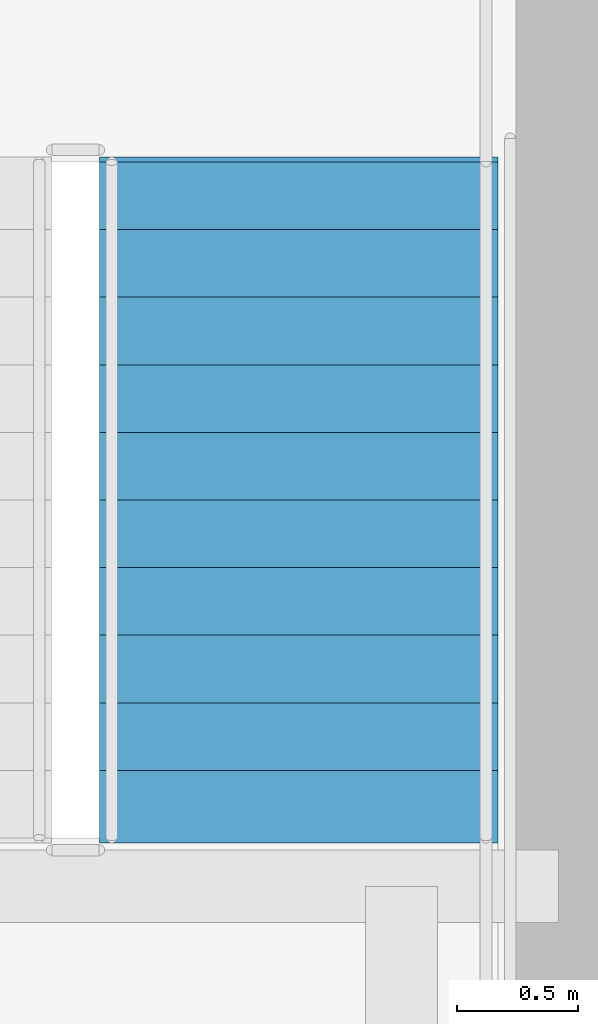
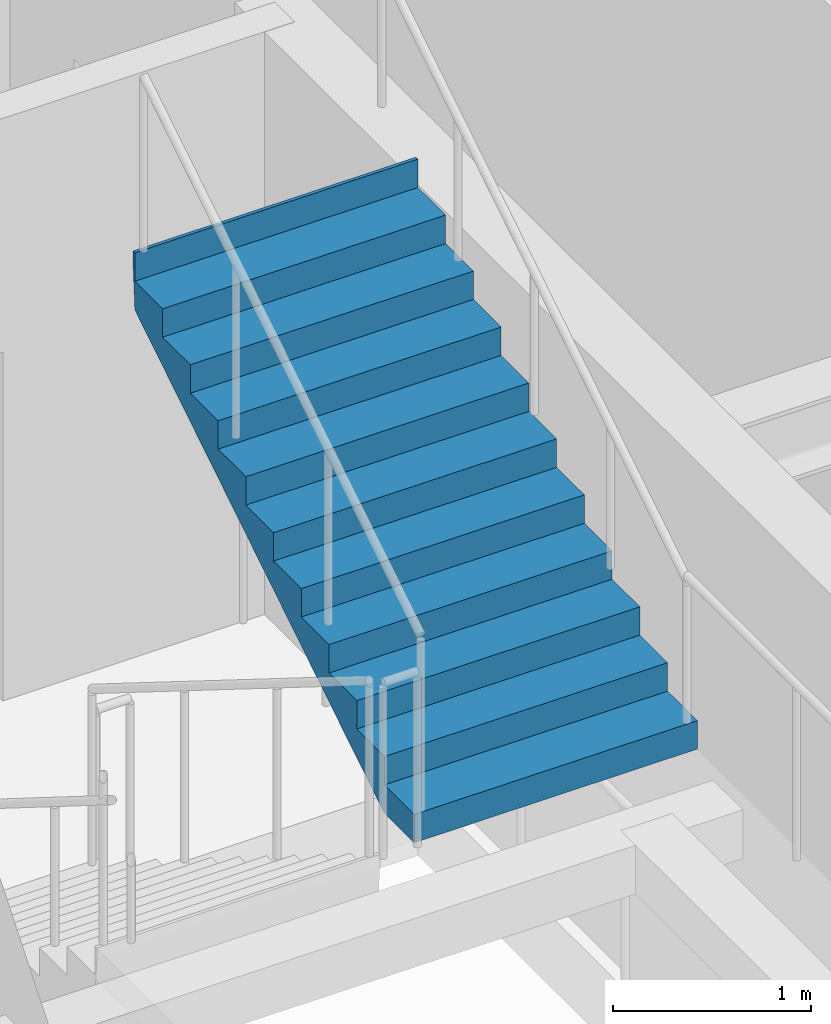
# One storey, part 30 of 35: 1 stair flight, 1 element without a shape of its own.
"""IFC4 building model written with IfcOpenShell, lengths in metres."""

from ifc_helpers import new_model, si_unit, direction, frame, origin, place, context, subcontext, project, spatial, polygons, material, type_object, element, aggregate, save


model = new_model("IFC4")

# Units and contexts
model_context = context("Model", 3, precision=1e-05, world=origin(), true_north=direction((0.0, 1.0)))
body_context = subcontext(model_context, "Body", "Model", "MODEL_VIEW")
ifc_project = project(units=[si_unit("LENGTHUNIT", "METRE"), si_unit("AREAUNIT", "SQUARE_METRE"), si_unit("VOLUMEUNIT", "CUBIC_METRE"), si_unit("PLANEANGLEUNIT", "RADIAN"), si_unit("MASSUNIT", "GRAM", prefix="KILO")], contexts=[model_context])

# Site, building, storey
site_placement = place(None, origin())
site = spatial("IfcSite", under=ifc_project, at=site_placement, CompositionType="ELEMENT")
building_placement = place(site_placement, origin())
building = spatial("IfcBuilding", under=site, at=building_placement, Name="Serunith Strait Residences", CompositionType="ELEMENT")
storey_placement = place(building_placement, frame((0.0, 0.0, 210.449951171875)))
storey = spatial("IfcBuildingStorey", under=building, at=storey_placement, Name="L52", CompositionType="ELEMENT", Elevation=210.449951171875)

# Stair, stair flight
ifc_material = material(Name="Concrete C50/60", Category="concrete")
stair_type = type_object("IfcStairType", Name="STR-CORE-2", PredefinedType="HALF_TURN_STAIR", material=ifc_material)
stair_placement = place(storey_placement, origin())
stair = element("IfcStair", 1, at=stair_placement, inside=storey, type_object=stair_type, Name="L52 Protected Escape Stair ST-2", PredefinedType="HALF_TURN_STAIR")
stair_flight_type = type_object("IfcStairFlightType", Name="FLT-CORE-2", PredefinedType="STRAIGHT", material=ifc_material)
stair_flight_placement = place(storey_placement, frame((40.324951171875, 20.570068359375, 1.925048828125), z_axis=(0.0, 0.0, 1.0), x_axis=(0.0, 1.0, 0.0)))
stair_flight = element("IfcStairFlight", 2, at=stair_flight_placement, type_object=stair_flight_type, Name="ST-2 flight 2", NumberOfRisers=11, NumberOfTreads=10, PredefinedType="STRAIGHT", RiserHeight=0.175, TreadLength=0.28, context=body_context, shape_type="Tessellation", body=[
    polygons([(-0.02001953125, -0.824951171875, 0.0), (-0.02001953125, -0.824951171875, 0.175048828125), (0.280029296875, -0.824951171875, 0.175048828125), (0.280029296875, -0.824951171875, 0.35009765625), (0.56005859375, -0.824951171875, 0.35009765625), (0.56005859375, -0.824951171875, 0.52490234375), (0.840087890625, -0.824951171875, 0.52490234375), (0.840087890625, -0.824951171875, 0.699951171875), (1.1201171875, -0.824951171875, 0.699951171875), (1.1201171875, -0.824951171875, 0.875), (1.39990234375, -0.824951171875, 0.875), (1.39990234375, -0.824951171875, 1.050048828125), (1.679931640625, -0.824951171875, 1.050048828125), (1.679931640625, -0.824951171875, 1.22509765625), (1.9599609375, -0.824951171875, 1.22509765625), (1.9599609375, -0.824951171875, 1.39990234375), (2.239990234375, -0.824951171875, 1.39990234375), (2.239990234375, -0.824951171875, 1.574951171875), (2.52001953125, -0.824951171875, 1.574951171875), (2.52001953125, -0.824951171875, 1.75), (2.800048828125, -0.824951171875, 1.75), (2.800048828125, -0.824951171875, 1.925048828125), (2.820068359375, -0.824951171875, 1.925048828125), (2.820068359375, -0.824951171875, 1.864990234375), (2.800048828125, -0.824951171875, 1.5732421875), (0.28271484375, -0.824951171875, 0.0), (-0.02001953125, -0.41259765625, 0.0), (-0.02001953125, -0.41259765625, 0.175048828125), (0.280029296875, -0.41259765625, 0.175048828125), (0.280029296875, -0.41259765625, 0.35009765625), (0.56005859375, -0.41259765625, 0.35009765625), (0.56005859375, -0.41259765625, 0.52490234375), (0.840087890625, -0.41259765625, 0.52490234375), (0.840087890625, -0.41259765625, 0.699951171875), (1.1201171875, -0.41259765625, 0.699951171875), (1.1201171875, -0.41259765625, 0.875), (1.39990234375, -0.41259765625, 0.875), (1.39990234375, -0.41259765625, 1.050048828125), (1.679931640625, -0.41259765625, 1.050048828125), (1.679931640625, -0.41259765625, 1.22509765625), (1.9599609375, -0.41259765625, 1.22509765625), (1.9599609375, -0.41259765625, 1.39990234375), (2.239990234375, -0.41259765625, 1.39990234375), (2.239990234375, -0.41259765625, 1.574951171875), (2.52001953125, -0.41259765625, 1.574951171875), (2.52001953125, -0.41259765625, 1.75), (2.800048828125, -0.41259765625, 1.75), (2.800048828125, -0.41259765625, 1.925048828125), (2.820068359375, -0.41259765625, 1.925048828125), (2.820068359375, -0.41259765625, 1.864990234375), (2.800048828125, -0.41259765625, 1.5732421875), (0.28271484375, -0.41259765625, 0.0), (-0.02001953125, 0.0, 0.0), (-0.02001953125, 0.0, 0.175048828125), (0.280029296875, 0.0, 0.175048828125), (0.280029296875, 0.0, 0.35009765625), (0.56005859375, 0.0, 0.35009765625), (0.56005859375, 0.0, 0.52490234375), (0.840087890625, 0.0, 0.52490234375), (0.840087890625, 0.0, 0.699951171875), (1.1201171875, 0.0, 0.699951171875), (1.1201171875, 0.0, 0.875), (1.39990234375, 0.0, 0.875), (1.39990234375, 0.0, 1.050048828125), (1.679931640625, 0.0, 1.050048828125), (1.679931640625, 0.0, 1.22509765625), (1.9599609375, 0.0, 1.22509765625), (1.9599609375, 0.0, 1.39990234375), (2.239990234375, 0.0, 1.39990234375), (2.239990234375, 0.0, 1.574951171875), (2.52001953125, 0.0, 1.574951171875), (2.52001953125, 0.0, 1.75), (2.800048828125, 0.0, 1.75), (2.800048828125, 0.0, 1.925048828125), (2.820068359375, 0.0, 1.925048828125), (2.820068359375, 0.0, 1.864990234375), (2.800048828125, 0.0, 1.5732421875), (0.28271484375, 0.0, 0.0), (-0.02001953125, 0.41259765625, 0.0), (-0.02001953125, 0.41259765625, 0.175048828125), (0.280029296875, 0.41259765625, 0.175048828125), (0.280029296875, 0.41259765625, 0.35009765625), (0.56005859375, 0.41259765625, 0.35009765625), (0.56005859375, 0.41259765625, 0.52490234375), (0.840087890625, 0.41259765625, 0.52490234375), (0.840087890625, 0.41259765625, 0.699951171875), (1.1201171875, 0.41259765625, 0.699951171875), (1.1201171875, 0.41259765625, 0.875), (1.39990234375, 0.41259765625, 0.875), (1.39990234375, 0.41259765625, 1.050048828125), (1.679931640625, 0.41259765625, 1.050048828125), (1.679931640625, 0.41259765625, 1.22509765625), (1.9599609375, 0.41259765625, 1.22509765625), (1.9599609375, 0.41259765625, 1.39990234375), (2.239990234375, 0.41259765625, 1.39990234375), (2.239990234375, 0.41259765625, 1.574951171875), (2.52001953125, 0.41259765625, 1.574951171875), (2.52001953125, 0.41259765625, 1.75), (2.800048828125, 0.41259765625, 1.75), (2.800048828125, 0.41259765625, 1.925048828125), (2.820068359375, 0.41259765625, 1.925048828125), (2.820068359375, 0.41259765625, 1.864990234375), (2.800048828125, 0.41259765625, 1.5732421875), (0.28271484375, 0.41259765625, 0.0), (-0.02001953125, 0.824951171875, 0.0), (-0.02001953125, 0.824951171875, 0.175048828125), (0.280029296875, 0.824951171875, 0.175048828125), (0.280029296875, 0.824951171875, 0.35009765625), (0.56005859375, 0.824951171875, 0.35009765625), (0.56005859375, 0.824951171875, 0.52490234375), (0.840087890625, 0.824951171875, 0.52490234375), (0.840087890625, 0.824951171875, 0.699951171875), (1.1201171875, 0.824951171875, 0.699951171875), (1.1201171875, 0.824951171875, 0.875), (1.39990234375, 0.824951171875, 0.875), (1.39990234375, 0.824951171875, 1.050048828125), (1.679931640625, 0.824951171875, 1.050048828125), (1.679931640625, 0.824951171875, 1.22509765625), (1.9599609375, 0.824951171875, 1.22509765625), (1.9599609375, 0.824951171875, 1.39990234375), (2.239990234375, 0.824951171875, 1.39990234375), (2.239990234375, 0.824951171875, 1.574951171875), (2.52001953125, 0.824951171875, 1.574951171875), (2.52001953125, 0.824951171875, 1.75), (2.800048828125, 0.824951171875, 1.75), (2.800048828125, 0.824951171875, 1.925048828125), (2.820068359375, 0.824951171875, 1.925048828125), (2.820068359375, 0.824951171875, 1.864990234375), (2.800048828125, 0.824951171875, 1.5732421875), (0.28271484375, 0.824951171875, 0.0)], [[[1, 2, 28, 27]], [[2, 3, 29, 28]], [[3, 4, 30, 29]], [[4, 5, 31, 30]], [[5, 6, 32, 31]], [[6, 7, 33, 32]], [[7, 8, 34, 33]], [[8, 9, 35, 34]], [[9, 10, 36, 35]], [[10, 11, 37, 36]], [[11, 12, 38, 37]], [[12, 13, 39, 38]], [[13, 14, 40, 39]], [[14, 15, 41, 40]], [[15, 16, 42, 41]], [[16, 17, 43, 42]], [[17, 18, 44, 43]], [[18, 19, 45, 44]], [[19, 20, 46, 45]], [[20, 21, 47, 46]], [[21, 22, 48, 47]], [[22, 23, 49, 48]], [[23, 24, 50, 49]], [[24, 25, 51, 50]], [[25, 26, 52, 51]], [[26, 1, 27, 52]], [[27, 28, 54, 53]], [[28, 29, 55, 54]], [[29, 30, 56, 55]], [[30, 31, 57, 56]], [[31, 32, 58, 57]], [[32, 33, 59, 58]], [[33, 34, 60, 59]], [[34, 35, 61, 60]], [[35, 36, 62, 61]], [[36, 37, 63, 62]], [[37, 38, 64, 63]], [[38, 39, 65, 64]], [[39, 40, 66, 65]], [[40, 41, 67, 66]], [[41, 42, 68, 67]], [[42, 43, 69, 68]], [[43, 44, 70, 69]], [[44, 45, 71, 70]], [[45, 46, 72, 71]], [[46, 47, 73, 72]], [[47, 48, 74, 73]], [[48, 49, 75, 74]], [[49, 50, 76, 75]], [[50, 51, 77, 76]], [[51, 52, 78, 77]], [[52, 27, 53, 78]], [[53, 54, 80, 79]], [[54, 55, 81, 80]], [[55, 56, 82, 81]], [[56, 57, 83, 82]], [[57, 58, 84, 83]], [[58, 59, 85, 84]], [[59, 60, 86, 85]], [[60, 61, 87, 86]], [[61, 62, 88, 87]], [[62, 63, 89, 88]], [[63, 64, 90, 89]], [[64, 65, 91, 90]], [[65, 66, 92, 91]], [[66, 67, 93, 92]], [[67, 68, 94, 93]], [[68, 69, 95, 94]], [[69, 70, 96, 95]], [[70, 71, 97, 96]], [[71, 72, 98, 97]], [[72, 73, 99, 98]], [[73, 74, 100, 99]], [[74, 75, 101, 100]], [[75, 76, 102, 101]], [[76, 77, 103, 102]], [[77, 78, 104, 103]], [[78, 53, 79, 104]], [[79, 80, 106, 105]], [[80, 81, 107, 106]], [[81, 82, 108, 107]], [[82, 83, 109, 108]], [[83, 84, 110, 109]], [[84, 85, 111, 110]], [[85, 86, 112, 111]], [[86, 87, 113, 112]], [[87, 88, 114, 113]], [[88, 89, 115, 114]], [[89, 90, 116, 115]], [[90, 91, 117, 116]], [[91, 92, 118, 117]], [[92, 93, 119, 118]], [[93, 94, 120, 119]], [[94, 95, 121, 120]], [[95, 96, 122, 121]], [[96, 97, 123, 122]], [[97, 98, 124, 123]], [[98, 99, 125, 124]], [[99, 100, 126, 125]], [[100, 101, 127, 126]], [[101, 102, 128, 127]], [[102, 103, 129, 128]], [[103, 104, 130, 129]], [[104, 79, 105, 130]], [[26, 25, 24, 23, 22, 21, 20, 19, 18, 17, 16, 15, 14, 13, 12, 11, 10, 9, 8, 7, 6, 5, 4, 3, 2, 1]], [[105, 106, 107, 108, 109, 110, 111, 112, 113, 114, 115, 116, 117, 118, 119, 120, 121, 122, 123, 124, 125, 126, 127, 128, 129, 130]]], closed=True),
])
aggregate(stair, [stair_flight])

save(model, "model.ifc")
